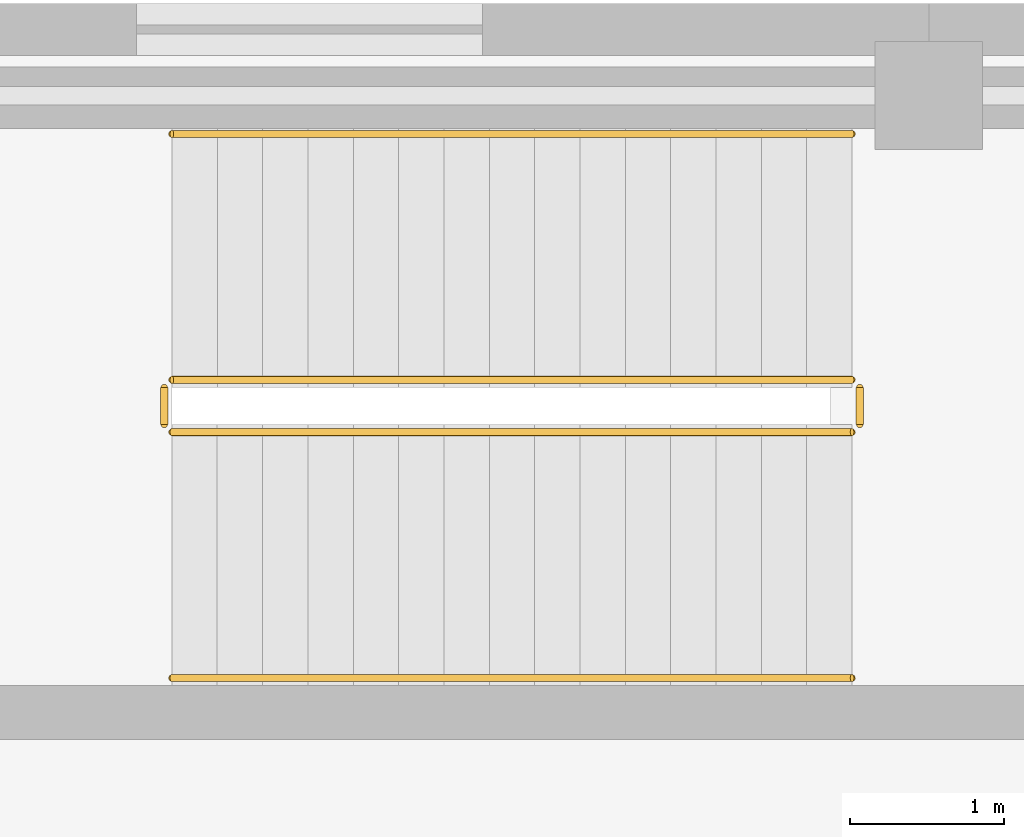
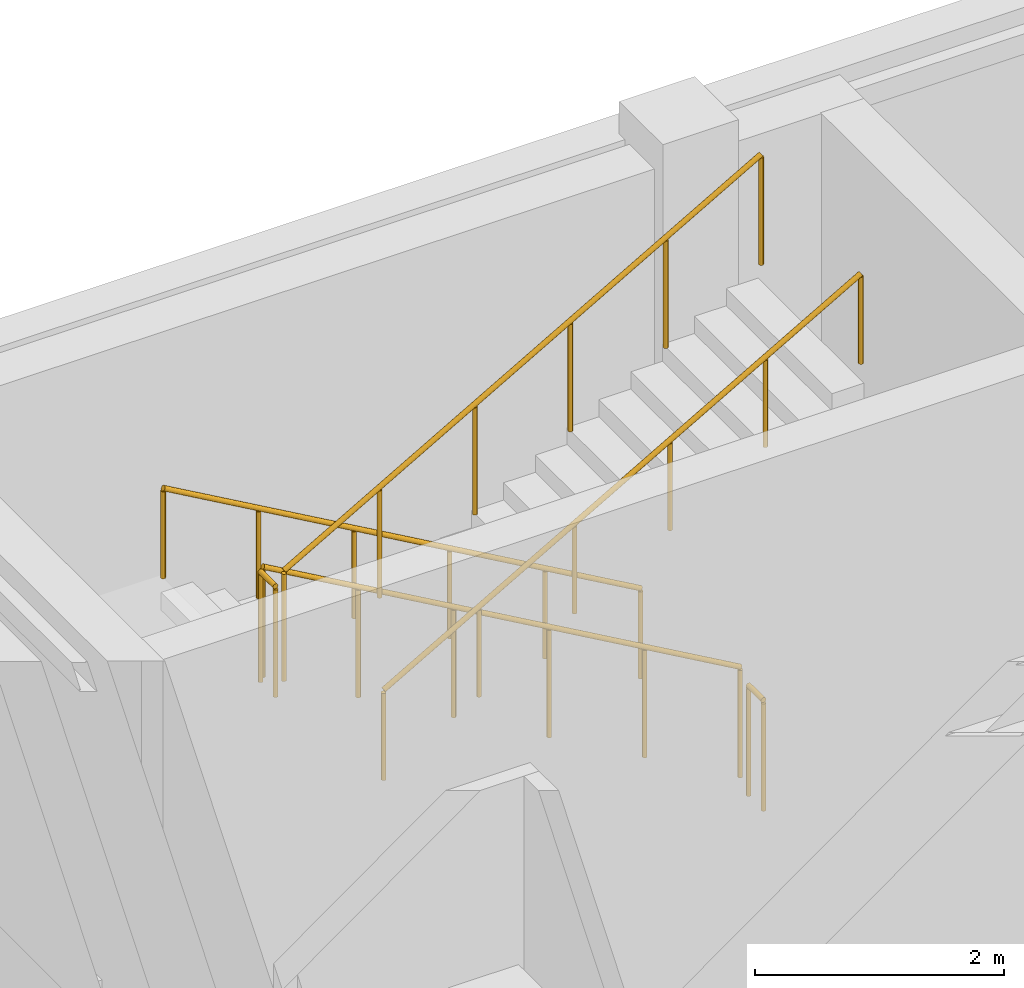
# One storey, part 121 of 122: 6 railings.
"""IFC4 building model written with IfcOpenShell, lengths in metres."""

import ifcopenshell
import ifcopenshell.guid

model = None  # the IFC model being written
_history = None  # IfcOwnerHistory: only IFC2X3 demands one
_inside = {}  # id of a spatial element -> (the spatial element, [elements in it])
_under = {}  # id of a project, library or spatial element -> (it, [spatial elements below it])
_declared = {}  # id of a project -> (the project, [libraries it declares])
_typed = {}  # id of a type object -> (the type object, [elements of that type])
_made_of = {}  # id of a material, layer set ... -> (it, [elements and type objects made of it])


def new_model(schema):
    """Start an empty IFC model of exactly this schema.

    Asked for "IFC4X3", IfcOpenShell would pick the latest addendum, in which some entities
    have other attributes; the version numbers below select the first issue.
    IFC2X3 requires an IfcOwnerHistory on every rooted entity: one is made here for all.
    """
    global model, _history
    if schema == "IFC4X3":
        model = ifcopenshell.file(schema_version=(4, 3, 0, 0))
    else:
        model = ifcopenshell.file(schema=schema)
    _inside.clear()
    _under.clear()
    _declared.clear()
    _typed.clear()
    _made_of.clear()
    _history = None
    if model.schema == "IFC2X3":
        org = make("IfcOrganization", Name="unknown")
        user = make(
            "IfcPersonAndOrganization",
            ThePerson=make("IfcPerson", FamilyName="unknown"),
            TheOrganization=org,
        )
        app = make(
            "IfcApplication",
            ApplicationDeveloper=org,
            Version="unknown",
            ApplicationFullName="unknown",
            ApplicationIdentifier="unknown",
        )
        _history = make(
            "IfcOwnerHistory",
            OwningUser=user,
            OwningApplication=app,
            ChangeAction="ADDED",
            CreationDate=0,
        )
    return model


def make(cls, **values):
    """One entity of the class cls with the attributes given. An attribute that is None is left unset."""
    return model.create_entity(
        cls, **{name: value for name, value in values.items() if value is not None}
    )


def rooted(cls, **values):
    """An entity with a GlobalId (a new one), such as an element, a storey or a relation."""
    return make(cls, GlobalId=ifcopenshell.guid.new(), OwnerHistory=_history, **values)


def si_unit(unit_type, name, prefix=None):
    """IfcSIUnit, for example si_unit("LENGTHUNIT", "METRE", prefix="MILLI")."""
    return make("IfcSIUnit", UnitType=unit_type, Prefix=prefix, Name=name)


def assignment(units):
    """IfcUnitAssignment: the units of a project."""
    return None if units is None else make("IfcUnitAssignment", Units=units)


def point(xyz):
    """IfcCartesianPoint."""
    return None if xyz is None else make("IfcCartesianPoint", Coordinates=xyz)


def direction(xyz):
    """IfcDirection."""
    return None if xyz is None else make("IfcDirection", DirectionRatios=xyz)


def frame(location, z_axis=None, x_axis=None):
    """IfcAxis2Placement3D, a coordinate frame: its origin and axes. An axis left out is left unset."""
    return make(
        "IfcAxis2Placement3D",
        Location=point(location),
        Axis=direction(z_axis),
        RefDirection=direction(x_axis),
    )


def frame_2d(location, x_axis=None):
    """IfcAxis2Placement2D, a coordinate frame in the plane: its origin and x axis."""
    return make(
        "IfcAxis2Placement2D", Location=point(location), RefDirection=direction(x_axis)
    )


def origin():
    """The frame at (0, 0, 0) with its axes left unset."""
    return frame((0.0, 0.0, 0.0))


def origin_2d():
    """The frame at (0, 0) in the plane with its x axis left unset."""
    return frame_2d((0.0, 0.0))


def place(relative_to, where):
    """IfcLocalPlacement: puts the frame where relative to a parent placement (None: the world)."""
    return make(
        "IfcLocalPlacement", PlacementRelTo=relative_to, RelativePlacement=where
    )


def context(
    kind, dimensions, precision=None, world=None, true_north=None, identifier=None
):
    """IfcGeometricRepresentationContext, for example the 3D "Model" context."""
    return make(
        "IfcGeometricRepresentationContext",
        ContextIdentifier=identifier,
        ContextType=kind,
        CoordinateSpaceDimension=dimensions,
        Precision=precision,
        WorldCoordinateSystem=world,
        TrueNorth=true_north,
    )


def subcontext(parent, identifier, kind, view, scale=None):
    """IfcGeometricRepresentationSubContext, for example "Body" below "Model"."""
    return make(
        "IfcGeometricRepresentationSubContext",
        ContextIdentifier=identifier,
        ContextType=kind,
        ParentContext=parent,
        TargetScale=scale,
        TargetView=view,
    )


def project(units=None, contexts=None):
    """IfcProject with its units and contexts."""
    return rooted(
        "IfcProject",
        Name="project",
        RepresentationContexts=contexts,
        UnitsInContext=assignment(units),
    )


def spatial(cls, under=None, at=None, **own):
    """A site, building, storey or space (cls), placed at a placement, below another one or the project."""
    s = rooted(cls, ObjectPlacement=at, **own)
    if under is not None:
        _under.setdefault(under.id(), (under, []))[1].append(s)
    return s


def profile(cls, at=None, kind="AREA", **sizes):
    """A parametric profile (cls). Its sizes go by their IFC names, for example OverallWidth=200.0."""
    return make(cls, ProfileType=kind, Position=at, **sizes)


def circle(**sizes):
    """IfcCircleProfileDef."""
    return profile("IfcCircleProfileDef", **sizes)


def extrude(swept, where, along, depth):
    """IfcExtrudedAreaSolid: the profile swept, set in the frame where, extruded along a direction by depth."""
    return make(
        "IfcExtrudedAreaSolid",
        SweptArea=swept,
        Position=where,
        ExtrudedDirection=direction(along),
        Depth=depth,
    )


def shape(context_of_items, identifier, shape_type, items):
    """IfcShapeRepresentation: the items that make up one representation, for example the "Body"."""
    return make(
        "IfcShapeRepresentation",
        ContextOfItems=context_of_items,
        RepresentationIdentifier=identifier,
        RepresentationType=shape_type,
        Items=items,
    )


def material(Name=None, Category=None):
    """IfcMaterial."""
    return make("IfcMaterial", Name=Name, Category=Category)


def made_of(thing, what):
    """Note that an element or type object is made of a material, layer set ...; save() writes the relation."""
    if what is not None:
        _made_of.setdefault(what.id(), (what, []))[1].append(thing)
    return thing


def type_object(cls, material=None, **own):
    """A type object (cls), such as IfcWallType, which elements share."""
    return made_of(rooted(cls, **own), material)


def element(
    cls,
    number,
    at=None,
    inside=None,
    cuts=None,
    type_object=None,
    material=None,
    context=None,
    identifier="Body",
    shape_type=None,
    held_by="IfcProductDefinitionShape",
    body=None,
    shapes=None,
    **own,
):
    """One element of the class cls, such as IfcWall. Its Tag is "e" and its number.

    at: its placement. inside: the storey or other place that contains it. cuts: it is an
    opening in that element (IfcRelVoidsElement). A single representation is given by context,
    identifier, shape_type and body (its items); several are given by shapes. held_by: the class
    of the entity that holds the representations. save() writes the other relations.
    """
    e = rooted(cls, Tag="e%d" % number, ObjectPlacement=at, **own)
    if body is not None:
        shapes = [shape(context, identifier, shape_type, body)]
    if shapes is not None:
        e.Representation = make(held_by, Representations=shapes)
    if inside is not None:
        _inside.setdefault(inside.id(), (inside, []))[1].append(e)
    if cuts is not None:
        rooted(
            "IfcRelVoidsElement", RelatingBuildingElement=cuts, RelatedOpeningElement=e
        )
    if type_object is not None:
        _typed.setdefault(type_object.id(), (type_object, []))[1].append(e)
    return made_of(e, material)


def aggregate(whole, parts):
    """IfcRelAggregates: a whole, such as a stair, and the parts it consists of."""
    return rooted("IfcRelAggregates", RelatingObject=whole, RelatedObjects=parts)


def save(model, path):
    """Write the relations noted so far, then the file.

    IfcRelAggregates (storeys below a building ...), IfcRelContainedInSpatialStructure (elements
    in a storey), IfcRelDefinesByType, IfcRelAssociatesMaterial and IfcRelDeclares: one each for
    every whole, place, type object, material and project.
    """
    for whole, parts in _under.values():
        aggregate(whole, parts)
    for where, things in _inside.values():
        rooted(
            "IfcRelContainedInSpatialStructure",
            RelatedElements=things,
            RelatingStructure=where,
        )
    for kind, things in _typed.values():
        rooted("IfcRelDefinesByType", RelatedObjects=things, RelatingType=kind)
    for what, things in _made_of.values():
        rooted("IfcRelAssociatesMaterial", RelatedObjects=things, RelatingMaterial=what)
    for by, libraries in _declared.values():
        rooted("IfcRelDeclares", RelatingContext=by, RelatedDefinitions=libraries)
    model.write(path)


model = new_model("IFC4")

# Units and contexts
model_context = context("Model", 3, precision=1e-05, world=origin(), true_north=direction((0.0, 1.0)))
body_context = subcontext(model_context, "Body", "Model", "MODEL_VIEW")
ifc_project = project(units=[si_unit("LENGTHUNIT", "METRE"), si_unit("AREAUNIT", "SQUARE_METRE"), si_unit("VOLUMEUNIT", "CUBIC_METRE"), si_unit("PLANEANGLEUNIT", "RADIAN"), si_unit("MASSUNIT", "GRAM", prefix="KILO")], contexts=[model_context])

# Site, building, storey
site_placement = place(None, origin())
site = spatial("IfcSite", under=ifc_project, at=site_placement, CompositionType="ELEMENT")
building_placement = place(site_placement, origin())
building = spatial("IfcBuilding", under=site, at=building_placement, Name="Zayran Congress Hotel", CompositionType="ELEMENT")
storey_placement = place(building_placement, origin())
storey = spatial("IfcBuildingStorey", under=building, at=storey_placement, Name="L00", CompositionType="ELEMENT", Elevation=0.0)

# Railings
ifc_material_1 = material(Name="Painted steel balustrade", Category="steel")
railing_type_1 = type_object("IfcRailingType", Name="TP-GRD-INT", PredefinedType="GUARDRAIL", material=ifc_material_1)
railing_1_placement = place(storey_placement, frame((150.699951171875, 115.550048828125, 0.168701171875)))
element("IfcRailing", 1, at=railing_1_placement, inside=storey, type_object=railing_type_1, Name="L00 ST-09 stair guard 1", PredefinedType="GUARDRAIL", context=body_context, shape_type="SweptSolid", body=[
    extrude(circle(Radius=0.02392578125, at=origin_2d()), frame((0.0, 0.0, 1.076171875), z_axis=(-0.868019072493, 0.0, 0.49653085482), x_axis=(0.0, -1.0, 0.0)), (0.0, 0.0, 1.0), 5.097900390625),
    extrude(circle(Radius=0.02099609375, at=origin_2d()), origin(), (0.0, 0.0, 1.0), 1.052001953125),
    extrude(circle(Radius=0.02099609375, at=origin_2d()), frame((-0.885009765625, 0.0, 0.50634765625)), (0.0, 0.0, 1.0), 1.052001953125),
    extrude(circle(Radius=0.02099609375, at=origin_2d()), frame((-1.77001953125, 0.0, 1.012451171875)), (0.0, 0.0, 1.0), 1.052001953125),
    extrude(circle(Radius=0.02099609375, at=origin_2d()), frame((-2.655029296875, 0.0, 1.518798828125)), (0.0, 0.0, 1.0), 1.052001953125),
    extrude(circle(Radius=0.02099609375, at=origin_2d()), frame((-3.5400390625, 0.0, 2.02490234375)), (0.0, 0.0, 1.0), 1.052001953125),
    extrude(circle(Radius=0.02099609375, at=origin_2d()), frame((-4.425048828125, 0.0, 2.53125)), (0.0, 0.0, 1.0), 1.052001953125),
])
railing_2_placement = place(storey_placement, frame((146.22509765625, 115.5, 2.699951171875)))
element("IfcRailing", 2, at=railing_2_placement, inside=storey, type_object=railing_type_1, Name="L00 ST-09 stair guard 2", PredefinedType="GUARDRAIL", context=body_context, shape_type="SweptSolid", body=[
    extrude(circle(Radius=0.02392578125, at=origin_2d()), frame((0.0, 0.0, 1.076171875), z_axis=(0.0, -1.0, 0.0), x_axis=(1.0, 0.0, 0.0)), (0.0, 0.0, 1.0), 0.239990234375),
    extrude(circle(Radius=0.02099609375, at=origin_2d()), origin(), (0.0, 0.0, 1.0), 1.052001953125),
    extrude(circle(Radius=0.02099609375, at=origin_2d()), frame((0.0, -0.239990234375, 0.0)), (0.0, 0.0, 1.0), 1.052001953125),
])
railing_3_placement = place(storey_placement, frame((146.27490234375, 115.2099609375, 2.86865234375)))
element("IfcRailing", 3, at=railing_3_placement, inside=storey, type_object=railing_type_1, Name="L00 ST-09 stair guard 3", PredefinedType="GUARDRAIL", context=body_context, shape_type="SweptSolid", body=[
    extrude(circle(Radius=0.02392578125, at=origin_2d()), frame((0.0, 0.0, 1.076171875), z_axis=(0.868019072493, 0.0, 0.49653085482), x_axis=(0.0, 1.0, 0.0)), (0.0, 0.0, 1.0), 5.097900390625),
    extrude(circle(Radius=0.02099609375, at=origin_2d()), origin(), (0.0, 0.0, 1.0), 1.052001953125),
    extrude(circle(Radius=0.02099609375, at=origin_2d()), frame((0.885009765625, 0.0, 0.50634765625)), (0.0, 0.0, 1.0), 1.052001953125),
    extrude(circle(Radius=0.02099609375, at=origin_2d()), frame((1.77001953125, 0.0, 1.012451171875)), (0.0, 0.0, 1.0), 1.052001953125),
    extrude(circle(Radius=0.02099609375, at=origin_2d()), frame((2.655029296875, 0.0, 1.518798828125)), (0.0, 0.0, 1.0), 1.052001953125),
    extrude(circle(Radius=0.02099609375, at=origin_2d()), frame((3.5400390625, 0.0, 2.02490234375)), (0.0, 0.0, 1.0), 1.052001953125),
    extrude(circle(Radius=0.02099609375, at=origin_2d()), frame((4.425048828125, 0.0, 2.53125)), (0.0, 0.0, 1.0), 1.052001953125),
])
railing_4_placement = place(storey_placement, frame((150.75, 115.5, 0.0)))
element("IfcRailing", 4, at=railing_4_placement, inside=storey, type_object=railing_type_1, Name="L00 ST-09 stair guard 4", PredefinedType="GUARDRAIL", context=body_context, shape_type="SweptSolid", body=[
    extrude(circle(Radius=0.02392578125, at=origin_2d()), frame((0.0, 0.0, 1.076171875), z_axis=(0.0, -1.0, 0.0), x_axis=(1.0, 0.0, 0.0)), (0.0, 0.0, 1.0), 0.239990234375),
    extrude(circle(Radius=0.02099609375, at=origin_2d()), origin(), (0.0, 0.0, 1.0), 1.052001953125),
    extrude(circle(Radius=0.02099609375, at=origin_2d()), frame((0.0, -0.239990234375, 0.0)), (0.0, 0.0, 1.0), 1.052001953125),
])
ifc_material_2 = material(Name="Brushed stainless steel handrail", Category="steel")
railing_type_2 = type_object("IfcRailingType", Name="TP-HND-STR", PredefinedType="HANDRAIL", material=ifc_material_2)
railing_5_placement = place(storey_placement, frame((150.699951171875, 117.14990234375, 0.168701171875)))
element("IfcRailing", 5, at=railing_5_placement, inside=storey, type_object=railing_type_2, Name="L00 ST-09 stair handrail 1", PredefinedType="HANDRAIL", context=body_context, shape_type="SweptSolid", body=[
    extrude(circle(Radius=0.02392578125, at=origin_2d()), frame((0.0, 0.0, 0.8759765625), z_axis=(-0.868019072493, 0.0, 0.49653085482), x_axis=(0.0, -1.0, 0.0)), (0.0, 0.0, 1.0), 5.097900390625),
    extrude(circle(Radius=0.02099609375, at=origin_2d()), origin(), (0.0, 0.0, 1.0), 0.851806640625),
    extrude(circle(Radius=0.02099609375, at=origin_2d()), frame((-0.885009765625, 0.0, 0.50634765625)), (0.0, 0.0, 1.0), 0.851806640625),
    extrude(circle(Radius=0.02099609375, at=origin_2d()), frame((-1.77001953125, 0.0, 1.012451171875)), (0.0, 0.0, 1.0), 0.851806640625),
    extrude(circle(Radius=0.02099609375, at=origin_2d()), frame((-2.655029296875, 0.0, 1.518798828125)), (0.0, 0.0, 1.0), 0.851806640625),
    extrude(circle(Radius=0.02099609375, at=origin_2d()), frame((-3.5400390625, 0.0, 2.02490234375)), (0.0, 0.0, 1.0), 0.851806640625),
    extrude(circle(Radius=0.02099609375, at=origin_2d()), frame((-4.425048828125, 0.0, 2.53125)), (0.0, 0.0, 1.0), 0.851806640625),
])
railing_6_placement = place(storey_placement, frame((146.27490234375, 113.610107421875, 2.86865234375)))
element("IfcRailing", 6, at=railing_6_placement, inside=storey, type_object=railing_type_2, Name="L00 ST-09 stair handrail 2", PredefinedType="HANDRAIL", context=body_context, shape_type="SweptSolid", body=[
    extrude(circle(Radius=0.02392578125, at=origin_2d()), frame((0.0, 0.0, 0.8759765625), z_axis=(0.868019072493, 0.0, 0.49653085482), x_axis=(0.0, 1.0, 0.0)), (0.0, 0.0, 1.0), 5.097900390625),
    extrude(circle(Radius=0.02099609375, at=origin_2d()), origin(), (0.0, 0.0, 1.0), 0.851806640625),
    extrude(circle(Radius=0.02099609375, at=origin_2d()), frame((0.885009765625, 0.0, 0.50634765625)), (0.0, 0.0, 1.0), 0.851806640625),
    extrude(circle(Radius=0.02099609375, at=origin_2d()), frame((1.77001953125, 0.0, 1.012451171875)), (0.0, 0.0, 1.0), 0.851806640625),
    extrude(circle(Radius=0.02099609375, at=origin_2d()), frame((2.655029296875, 0.0, 1.518798828125)), (0.0, 0.0, 1.0), 0.851806640625),
    extrude(circle(Radius=0.02099609375, at=origin_2d()), frame((3.5400390625, 0.0, 2.02490234375)), (0.0, 0.0, 1.0), 0.851806640625),
    extrude(circle(Radius=0.02099609375, at=origin_2d()), frame((4.425048828125, 0.0, 2.53125)), (0.0, 0.0, 1.0), 0.851806640625),
])

save(model, "model.ifc")
